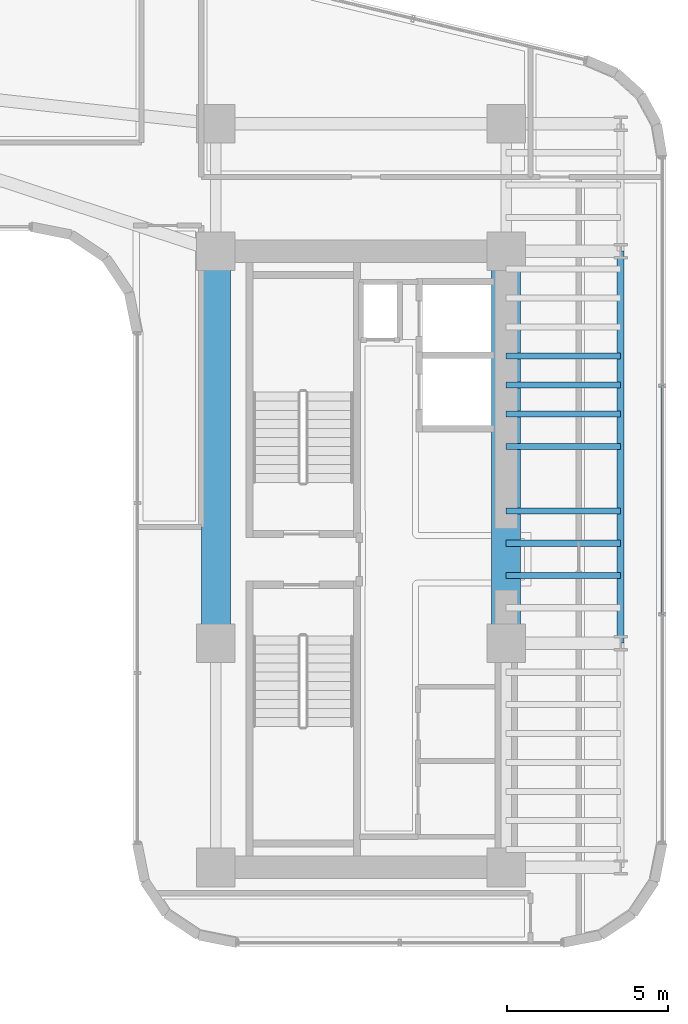
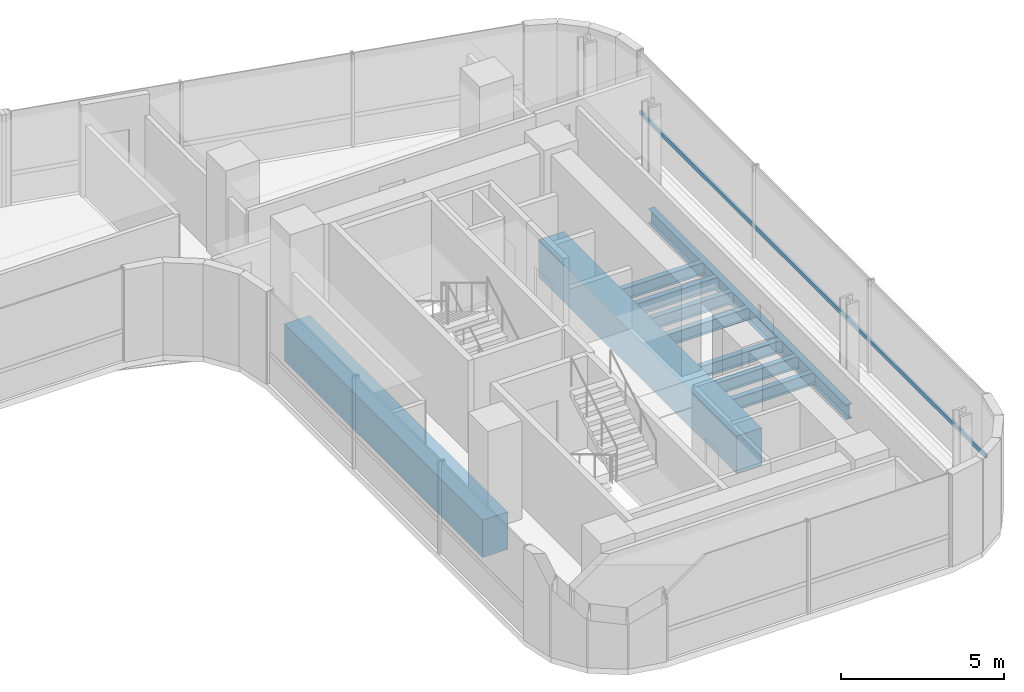
# One storey, part 17 of 35: 10 beams, 1 member, 1 element without a shape of its own.
"""IFC4 building model written with IfcOpenShell, lengths in metres."""

from ifc_helpers import new_model, si_unit, direction, frame, origin, origin_2d, place, context, subcontext, project, spatial, rectangle, hollow_rectangle, i_section, extrude, source, transform, mapped, material, material_profile, profile_set, type_object, element, aggregate, save


model = new_model("IFC4")

# Units and contexts
model_context = context("Model", 3, precision=1e-05, world=origin(), true_north=direction((0.0, 1.0)))
body_context = subcontext(model_context, "Body", "Model", "MODEL_VIEW")
ifc_project = project(units=[si_unit("LENGTHUNIT", "METRE"), si_unit("AREAUNIT", "SQUARE_METRE"), si_unit("VOLUMEUNIT", "CUBIC_METRE"), si_unit("PLANEANGLEUNIT", "RADIAN"), si_unit("MASSUNIT", "GRAM", prefix="KILO")], contexts=[model_context])

# Site, building, storey
site_placement = place(None, origin())
site = spatial("IfcSite", under=ifc_project, at=site_placement, CompositionType="ELEMENT")
building_placement = place(site_placement, origin())
building = spatial("IfcBuilding", under=site, at=building_placement, Name="Valdorenza Pilgrim Sanctuary Tower", CompositionType="ELEMENT")
storey_placement = place(building_placement, frame((0.0, 0.0, 124.199951171875)))
storey = spatial("IfcBuildingStorey", under=building, at=storey_placement, Name="L31", CompositionType="ELEMENT", Elevation=124.199951171875)

# Beams
ifc_material_1 = material(Name="Concrete C60/75", Category="concrete")
ifc_material_profile_1 = material_profile(ifc_material_1, rectangle(XDim=0.89990234375, YDim=1.39990234375, at=origin_2d()), Name="RC 1400x900")
ifc_profile_set_1 = profile_set([ifc_material_profile_1], Name="Concrete C60/75")
beam_type_1 = type_object("IfcBeamType", Name="STR-BM-LNT-1400", PredefinedType="LINTEL", material=ifc_profile_set_1)
shared_shape_1 = source(origin(), body_context, "Body", "SweptSolid", [
    extrude(rectangle(XDim=0.89990234375, YDim=1.39990234375, at=origin_2d()), origin(), (0.0, 0.0, 1.0), 12.150146484375),
])
for number, where, z_axis, x_axis, name in (
    (1, (15.85009765625, -2.60009765625, -0.739990234375), (0.0, 1.0, 0.0), (-1.0, 0.0, 0.0), "L31 Core B West Coupling Lintel Girder"),
    (2, (24.85009765625, -2.60009765625, -0.739990234375), (0.0, 1.0, 0.0), (-1.0, 0.0, 0.0), "L31 Core B East Coupling Lintel Girder"),
):
    element("IfcBeam", number, at=place(storey_placement, frame(where, z_axis=z_axis, x_axis=x_axis)), inside=storey, type_object=beam_type_1, Name=name, PredefinedType="LINTEL", context=body_context, shape_type="MappedRepresentation", body=[
        mapped(shared_shape_1, transform((0.0, 0.0, 0.0), x_axis=(1.0, 0.0, 0.0), y_axis=(0.0, 1.0, 0.0), z_axis=(0.0, 0.0, 1.0), scale=1.0)),
    ])
ifc_material_2 = material(Name="Steel ASTM A992 Grade 50", Category="steel")
ifc_material_profile_2 = material_profile(ifc_material_2, i_section(OverallWidth=0.214111328125, OverallDepth=0.549072265625, WebThickness=0.0146484375, FlangeThickness=0.023681640625, at=origin_2d()), Name="W21X93")
ifc_profile_set_2 = profile_set([ifc_material_profile_2], Name="Steel ASTM A992 Grade 50")
beam_type_2 = type_object("IfcBeamType", Name="STR-BM-SPN-W21A", PredefinedType="SPANDREL", material=ifc_profile_set_2)
shared_shape_2 = source(origin(), body_context, "Body", "SweptSolid", [
    extrude(i_section(OverallWidth=0.214111328125, OverallDepth=0.549072265625, WebThickness=0.0146484375, FlangeThickness=0.023681640625, at=origin_2d()), origin(), (0.0, 0.0, 1.0), 12.150146484375),
])
beam_placement = place(storey_placement, frame((28.39990234375, -2.60009765625, -0.514404296875), z_axis=(0.0, 1.0, 0.0), x_axis=(-1.0, 0.0, 0.0)))
element("IfcBeam", 3, at=beam_placement, inside=storey, type_object=beam_type_2, Name="L31 Spandrel Beam WB-E-M0N1", PredefinedType="SPANDREL", context=body_context, shape_type="MappedRepresentation", body=[
    mapped(shared_shape_2, transform((0.0, 0.0, 0.0), x_axis=(1.0, 0.0, 0.0), y_axis=(0.0, 1.0, 0.0), z_axis=(0.0, 0.0, 1.0), scale=1.0)),
])
ifc_material_profile_3 = material_profile(ifc_material_2, i_section(OverallWidth=0.19091796875, OverallDepth=0.45703125, WebThickness=0.009033203125, FlangeThickness=0.014404296875, at=origin_2d()), Name="W18X50")
ifc_profile_set_3 = profile_set([ifc_material_profile_3], Name="Steel ASTM A992 Grade 50")
beam_type_3 = type_object("IfcBeamType", Name="STR-BM-JST-W18B", PredefinedType="JOIST", material=ifc_profile_set_3)
shared_shape_3 = source(origin(), body_context, "Body", "SweptSolid", [
    extrude(i_section(OverallWidth=0.19091796875, OverallDepth=0.45703125, WebThickness=0.009033203125, FlangeThickness=0.014404296875, at=origin_2d()), origin(), (0.0, 0.0, 1.0), 3.5498046875),
])
for number, where, z_axis, x_axis, name in (
    (4, (24.85009765625, -0.5, -0.468505859375), (1.0, 0.0, 0.0), (0.0, 1.0, 0.0), "L31 Composite Floor Joist JST-WB-9"),
    (5, (24.85009765625, 0.5, -0.468505859375), (1.0, 0.0, 0.0), (0.0, 1.0, 0.0), "L31 Composite Floor Joist JST-WB-10"),
    (6, (24.85009765625, 1.5, -0.468505859375), (1.0, 0.0, 0.0), (0.0, 1.0, 0.0), "L31 Composite Floor Joist JST-WB-11"),
    (7, (24.85009765625, 3.5, -0.468505859375), (1.0, 0.0, 0.0), (0.0, 1.0, 0.0), "L31 Composite Floor Joist JST-WB-12"),
    (8, (24.85009765625, 4.5, -0.468505859375), (1.0, 0.0, 0.0), (0.0, 1.0, 0.0), "L31 Composite Floor Joist JST-WB-13"),
    (9, (24.85009765625, 5.39990234375, -0.468505859375), (1.0, 0.0, 0.0), (0.0, 1.0, 0.0), "L31 Composite Floor Joist JST-WB-14"),
    (10, (24.85009765625, 6.300048828125, -0.468505859375), (1.0, 0.0, 0.0), (0.0, 1.0, 0.0), "L31 Composite Floor Joist JST-WB-15"),
):
    element("IfcBeam", number, at=place(storey_placement, frame(where, z_axis=z_axis, x_axis=x_axis)), inside=storey, type_object=beam_type_3, Name=name, PredefinedType="JOIST", context=body_context, shape_type="MappedRepresentation", body=[
        mapped(shared_shape_3, transform((0.0, 0.0, 0.0), x_axis=(1.0, 0.0, 0.0), y_axis=(0.0, 1.0, 0.0), z_axis=(0.0, 0.0, 1.0), scale=1.0)),
    ])

# Curtain wall, member
ifc_material_3 = material(Name="Curtain-wall IGU glazing", Category="glass")
curtain_wall_type = type_object("IfcCurtainWallType", Name="CW-SYS-03", PredefinedType="NOTDEFINED", material=ifc_material_3)
curtain_wall_placement = place(storey_placement, origin())
curtain_wall = element("IfcCurtainWall", 11, at=curtain_wall_placement, inside=storey, type_object=curtain_wall_type, Name="L31 Curtain Wall CW-L31-1-21", PredefinedType="NOTDEFINED")
ifc_material_4 = material(Name="Anodised aluminium AW-6060", Category="aluminium")
ifc_material_profile_4 = material_profile(ifc_material_4, hollow_rectangle(XDim=0.074951171875, YDim=0.159912109375, WallThickness=0.00390625, at=origin_2d()), Name="ALU-T 160x75x4")
ifc_profile_set_4 = profile_set([ifc_material_profile_4], Name="Anodised aluminium AW-6060")
member_type = type_object("IfcMemberType", Name="CW-TRN-03", PredefinedType="USERDEFINED", material=ifc_profile_set_4)
shared_shape_4 = source(origin(), body_context, "Body", "SweptSolid", [
    extrude(hollow_rectangle(XDim=0.074951171875, YDim=0.159912109375, WallThickness=0.00390625, at=origin_2d()), origin(), (0.0, 0.0, 1.0), 21.255615234375),
])
member_placement = place(storey_placement, frame((29.68994140625, 12.46630859375, 1.1201171875), z_axis=(0.0, -1.0, 0.0), x_axis=(1.0, 0.0, 0.0)))
member = element("IfcMember", 12, at=member_placement, type_object=member_type, Name="CW-L31-1-21 Transom 1", ObjectType="TRANSOM", PredefinedType="USERDEFINED", context=body_context, shape_type="MappedRepresentation", body=[
    mapped(shared_shape_4, transform((0.0, 0.0, 0.0), x_axis=(1.0, 0.0, 0.0), y_axis=(0.0, 1.0, 0.0), z_axis=(0.0, 0.0, 1.0), scale=1.0)),
])
aggregate(curtain_wall, [member])

save(model, "model.ifc")
